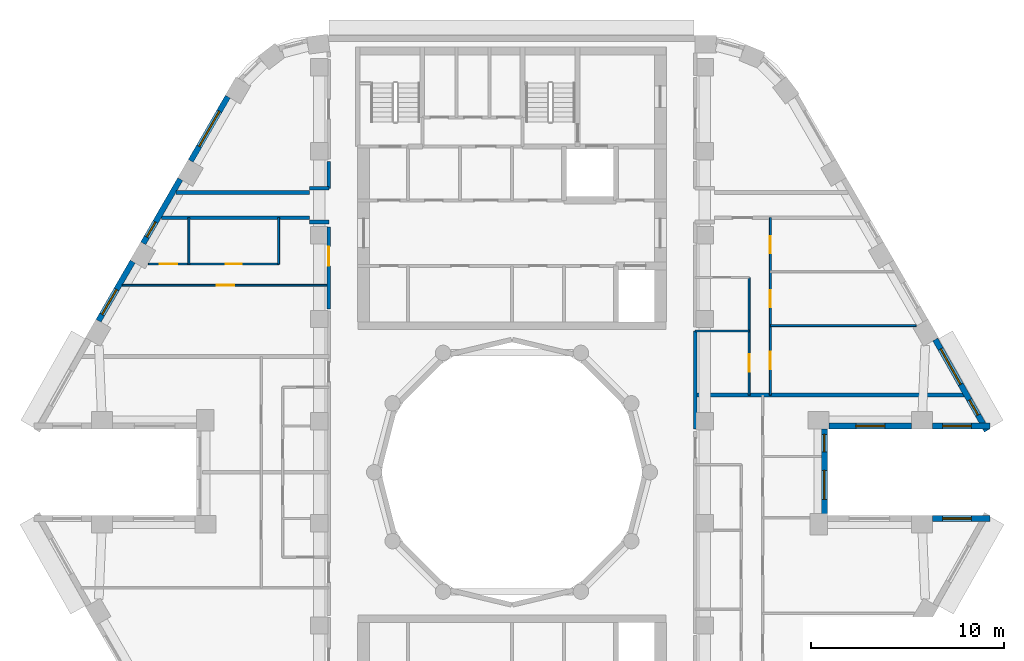
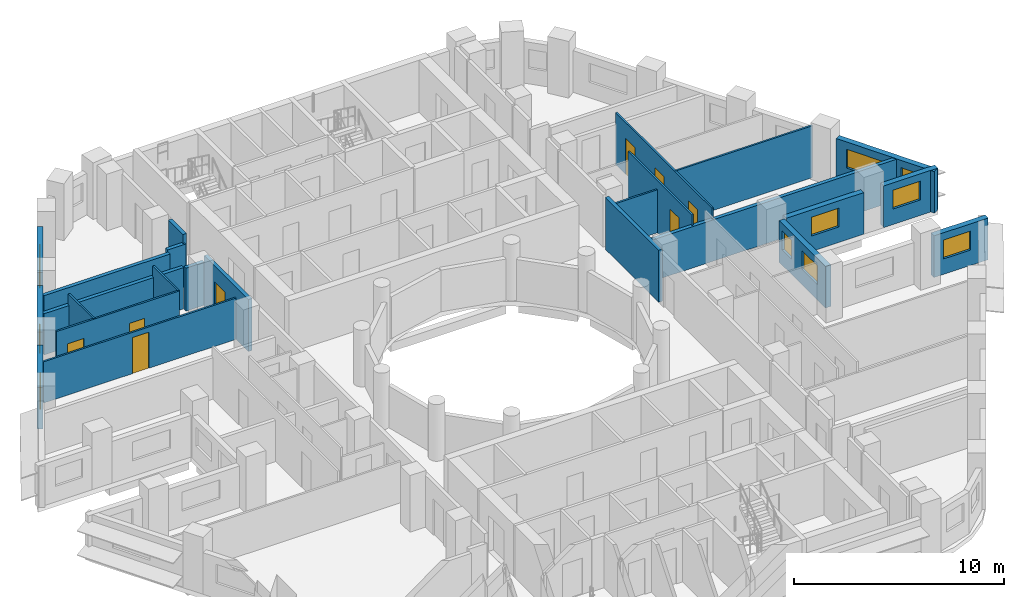
# One storey, part 6 of 12: 24 walls, 10 windows, 8 doors, 18 openings.
"""IFC4 building model written with IfcOpenShell, lengths in metres."""

from ifc_helpers import new_model, si_unit, direction, frame, frame_2d, origin, place, context, subcontext, project, spatial, rectangle, extrude, material, layer, layer_set, type_object, element, fill, save


model = new_model("IFC4")

# Units and contexts
model_context = context("Model", 3, precision=1e-05, world=origin(), true_north=direction((0.0, 1.0)))
body_context = subcontext(model_context, "Body", "Model", "MODEL_VIEW")
ifc_project = project(units=[si_unit("LENGTHUNIT", "METRE"), si_unit("AREAUNIT", "SQUARE_METRE"), si_unit("VOLUMEUNIT", "CUBIC_METRE"), si_unit("PLANEANGLEUNIT", "RADIAN"), si_unit("MASSUNIT", "GRAM", prefix="KILO")], contexts=[model_context])

# Site, building, storey
site_placement = place(None, origin())
site = spatial("IfcSite", under=ifc_project, at=site_placement, CompositionType="ELEMENT")
building_placement = place(site_placement, origin())
building = spatial("IfcBuilding", under=site, at=building_placement, Name="Nakaniwa Court", CompositionType="ELEMENT")
storey_placement = place(building_placement, frame((0.0, 0.0, 255.89990234375)))
storey = spatial("IfcBuildingStorey", under=building, at=storey_placement, Name="L67", CompositionType="ELEMENT", Elevation=255.89990234375)

# Walls
ifc_material_1 = material(Name="Acoustic double stud partition")
ifc_layer_1 = layer(ifc_material_1, 0.199951171875)
ifc_layer_set_1 = layer_set([ifc_layer_1], Name="Acoustic double stud partition")
wall_type_1 = type_object("IfcWallType", Name="Acoustic double stud partition 200", PredefinedType="PARTITIONING", material=ifc_layer_set_1)
wall_1_placement = place(storey_placement, frame((89.5, 82.237060546875, 0.0), z_axis=(0.0, 0.0, 1.0), x_axis=(0.0, 1.0, 0.0)))
element("IfcWall", 1, at=wall_1_placement, inside=storey, type_object=wall_type_1, Name="Partition PW-064", PredefinedType="PARTITIONING", context=body_context, shape_type="SweptSolid", body=[
    extrude(rectangle(XDim=5.09326171875, YDim=0.199951171875, at=frame_2d((2.546630859375, 0.0))), origin(), (0.0, 0.0, 1.0), 3.025146484375),
])
wall_2_placement = place(storey_placement, frame((61.8134765625, 93.199951171875, 0.0), z_axis=(0.0, 0.0, 1.0), x_axis=(1.0, 0.0, 0.0)))
element("IfcWall", 2, at=wall_2_placement, inside=storey, type_object=wall_type_1, Name="Partition PW-070", PredefinedType="PARTITIONING", context=body_context, shape_type="SweptSolid", body=[
    extrude(rectangle(XDim=7.6865234375, YDim=0.199951171875, at=frame_2d((3.84326171875, 0.0))), origin(), (0.0, 0.0, 1.0), 2.405029296875),
])
for number, where, z_axis, x_axis, name in (
    (3, (69.5, 92.97509765625, 0.0), (0.0, 0.0, 1.0), (1.0, 0.0, 0.0), "Partition PW-072"),
    (4, (69.5, 94.72509765625, 0.0), (0.0, 0.0, 1.0), (1.0, 0.0, 0.0), "Partition PW-074"),
):
    element("IfcWall", number, at=place(storey_placement, frame(where, z_axis=z_axis, x_axis=x_axis)), inside=storey, type_object=wall_type_1, Name=name, PredefinedType="PARTITIONING", context=body_context, shape_type="SweptSolid", body=[
        extrude(rectangle(XDim=1.0, YDim=0.199951171875, at=frame_2d((0.5, 0.0))), origin(), (0.0, 0.0, 1.0), 2.505126953125),
    ])
wall_3_placement = place(storey_placement, frame((62.56396484375, 94.5, 0.0), z_axis=(0.0, 0.0, 1.0), x_axis=(1.0, 0.0, 0.0)))
element("IfcWall", 5, at=wall_3_placement, inside=storey, type_object=wall_type_1, Name="Partition PW-076", PredefinedType="PARTITIONING", context=body_context, shape_type="SweptSolid", body=[
    extrude(rectangle(XDim=6.93603515625, YDim=0.199951171875, at=frame_2d((3.468017578125, 0.0))), origin(), (0.0, 0.0, 1.0), 2.405029296875),
])

# Wall, opening, door
wall_4_placement = place(storey_placement, frame((70.5, 88.47705078125, 0.0), z_axis=(0.0, 0.0, 1.0), x_axis=(0.0, 1.0, 0.0)))
wall_4 = element("IfcWall", 6, at=wall_4_placement, inside=storey, type_object=wall_type_1, Name="Partition PW-092", PredefinedType="PARTITIONING", context=body_context, shape_type="SweptSolid", body=[
    extrude(rectangle(XDim=4.23583984375, YDim=0.199951171875, at=frame_2d((2.117919921875, 0.0))), origin(), (0.0, 0.0, 1.0), 3.025146484375),
])
opening_1_placement = place(wall_4_placement, frame((2.22802734375, 0.0, 0.0)))
opening_1 = element("IfcOpeningElement", 7, at=opening_1_placement, cuts=wall_4, Name="Opening D-01-05", PredefinedType="OPENING", context=body_context, shape_type="SweptSolid", body=[
    extrude(rectangle(XDim=1.0, YDim=2.10009765625, at=frame_2d((0.5, 1.050048828125))), frame((0.0, 0.10986328125, 0.0), z_axis=(0.0, -1.0, 0.0), x_axis=(1.0, 0.0, 0.0)), (0.0, 0.0, 1.0), 0.219970703125),
])
ifc_material_2 = material(Name="Solid core timber door set, black veneer", Category="wood")
door_type_1 = type_object("IfcDoorType", Name="Flat entrance door 1000", OperationType="NOTDEFINED", PredefinedType="DOOR", material=ifc_material_2)
door_1_placement = place(opening_1_placement, origin())
door_1 = element("IfcDoor", 8, at=door_1_placement, inside=storey, type_object=door_type_1, Name="Door D-01-05 L67-055", OperationType="SINGLE_SWING_RIGHT", OverallHeight=2.10009765625, OverallWidth=1.0, PredefinedType="DOOR", context=body_context, shape_type="SweptSolid", body=[
    extrude(rectangle(XDim=1.0, YDim=2.10009765625, at=frame_2d((0.5, 1.050048828125))), frame((0.0, 0.02490234375, 0.0), z_axis=(0.0, -1.0, 0.0), x_axis=(1.0, 0.0, 0.0)), (0.0, 0.0, 1.0), 0.050048828125),
])
fill(opening_1, door_1)

# Walls
wall_5_placement = place(storey_placement, frame((70.5, 94.721923828125, 0.0), z_axis=(0.0, 0.0, 1.0), x_axis=(0.0, 1.0, 0.0)))
element("IfcWall", 9, at=wall_5_placement, inside=storey, type_object=wall_type_1, Name="Partition PW-093", PredefinedType="PARTITIONING", context=body_context, shape_type="SweptSolid", body=[
    extrude(rectangle(XDim=1.401123046875, YDim=0.199951171875, at=frame_2d((0.70068359375, 0.0))), origin(), (0.0, 0.0, 1.0), 3.025146484375),
])
wall_6_placement = place(storey_placement, frame((89.5, 84.0, 0.0), z_axis=(0.0, 0.0, 1.0), x_axis=(1.0, 0.0, 0.0)))
element("IfcWall", 10, at=wall_6_placement, inside=storey, type_object=wall_type_1, Name="Partition PW-102", PredefinedType="PARTITIONING", context=body_context, shape_type="SweptSolid", body=[
    extrude(rectangle(XDim=13.998291015625, YDim=0.199951171875, at=frame_2d((6.9990234375, 0.0))), origin(), (0.0, 0.0, 1.0), 2.405029296875),
])

# Wall, opening, window
ifc_material_3 = material(Name="Charcoal ceramic cladding")
ifc_layer_2 = layer(ifc_material_3, 0.02, Name="Ceramic cladding")
ifc_material_4 = material(Name="Ventilated air cavity")
ifc_layer_3 = layer(ifc_material_4, 0.04, ventilated=True, Name="Ventilated cavity")
ifc_material_5 = material(Name="Mineral wool insulation")
ifc_layer_4 = layer(ifc_material_5, 0.1, Name="Insulation")
ifc_material_6 = material(Name="Cement bonded sheathing board")
ifc_layer_5 = layer(ifc_material_6, 0.012, Name="Sheathing")
ifc_material_7 = material(Name="Cold-formed galvanised stud frame with mineral wool infill")
ifc_layer_6 = layer(ifc_material_7, 0.1, Name="Stud frame")
ifc_material_8 = material(Name="Fire-rated gypsum plasterboard lining")
ifc_layer_7 = layer(ifc_material_8, 0.028, Name="Lining")
ifc_layer_set_2 = layer_set([ifc_layer_2, ifc_layer_3, ifc_layer_4, ifc_layer_5, ifc_layer_6, ifc_layer_7], Name="Charcoal ceramic faced external wall system")
wall_type_2 = type_object("IfcWallType", Name="Black ceramic faced external wall 300", PredefinedType="SOLIDWALL", material=ifc_layer_set_2)
wall_7_placement = place(storey_placement, frame((96.445556640625, 82.39990234375, 0.0), z_axis=(0.0, 0.0, 1.0), x_axis=(1.0, 0.0, 0.0)))
wall_7 = element("IfcWall", 11, at=wall_7_placement, inside=storey, type_object=wall_type_2, Name="L67 external wall 00", PredefinedType="SOLIDWALL", context=body_context, shape_type="SweptSolid", body=[
    extrude(rectangle(XDim=4.2724609375, YDim=0.300048828125, at=frame_2d((2.13623046875, 0.0))), origin(), (0.0, 0.0, 1.0), 2.425048828125),
])
opening_2_placement = place(wall_7_placement, frame((1.38623046875, 0.0, 0.89990234375)))
opening_2 = element("IfcOpeningElement", 12, at=opening_2_placement, cuts=wall_7, Name="Opening W5.01", PredefinedType="OPENING", context=body_context, shape_type="SweptSolid", body=[
    extrude(rectangle(XDim=1.5, YDim=1.10009765625, at=frame_2d((0.75, 0.550048828125))), frame((0.0, 0.159912109375, 0.0), z_axis=(0.0, -1.0, 0.0), x_axis=(1.0, 0.0, 0.0)), (0.0, 0.0, 1.0), 0.320068359375),
])
ifc_material_9 = material(Name="Black anodised aluminium frame with dark low-E laminated double glazing", Category="aluminium")
window_type_1 = type_object("IfcWindowType", Name="Dark glass window 1500x1100 sill 900", PartitioningType="SINGLE_PANEL", PredefinedType="WINDOW", material=ifc_material_9)
window_1_placement = place(opening_2_placement, origin())
window_1 = element("IfcWindow", 13, at=window_1_placement, inside=storey, type_object=window_type_1, Name="L67 bedroom window 00-0", OverallHeight=1.10009765625, OverallWidth=1.5, PartitioningType="SINGLE_PANEL", PredefinedType="WINDOW", context=body_context, shape_type="SweptSolid", body=[
    extrude(rectangle(XDim=1.5, YDim=1.10009765625, at=frame_2d((0.75, 0.550048828125))), frame((0.0, 0.030029296875, 0.0), z_axis=(0.0, -1.0, 0.0), x_axis=(1.0, 0.0, 0.0)), (0.0, 0.0, 1.0), 0.06005859375),
])
fill(opening_2, window_1)

wall_8_placement = place(storey_placement, frame((101.81005859375, 82.39990234375, 0.0), z_axis=(0.0, 0.0, 1.0), x_axis=(1.0, 0.0, 0.0)))
wall_8 = element("IfcWall", 14, at=wall_8_placement, inside=storey, type_object=wall_type_2, Name="L67 external wall 01", PredefinedType="SOLIDWALL", context=body_context, shape_type="SweptSolid", body=[
    extrude(rectangle(XDim=2.98779296875, YDim=0.300048828125, at=frame_2d((1.493896484375, 0.0))), origin(), (0.0, 0.0, 1.0), 2.425048828125),
])
opening_3_placement = place(wall_8_placement, frame((0.51904296875, 0.0, 0.89990234375)))
opening_3 = element("IfcOpeningElement", 15, at=opening_3_placement, cuts=wall_8, Name="Opening W5.02", PredefinedType="OPENING", context=body_context, shape_type="SweptSolid", body=[
    extrude(rectangle(XDim=1.5, YDim=1.10009765625, at=frame_2d((0.75, 0.550048828125))), frame((0.0, 0.159912109375, 0.0), z_axis=(0.0, -1.0, 0.0), x_axis=(1.0, 0.0, 0.0)), (0.0, 0.0, 1.0), 0.320068359375),
])
window_2_placement = place(opening_3_placement, origin())
window_2 = element("IfcWindow", 16, at=window_2_placement, inside=storey, type_object=window_type_1, Name="L67 bedroom window 01-0", OverallHeight=1.10009765625, OverallWidth=1.5, PartitioningType="SINGLE_PANEL", PredefinedType="WINDOW", context=body_context, shape_type="SweptSolid", body=[
    extrude(rectangle(XDim=1.5, YDim=1.10009765625, at=frame_2d((0.75, 0.550048828125))), frame((0.0, 0.030029296875, 0.0), z_axis=(0.0, -1.0, 0.0), x_axis=(1.0, 0.0, 0.0)), (0.0, 0.0, 1.0), 0.06005859375),
])
fill(opening_3, window_2)

# Wall, openings, windows
wall_9_placement = place(storey_placement, frame((104.627197265625, 82.153564453125, 0.0), z_axis=(0.0, 0.0, 1.0), x_axis=(-0.492080931903, 0.870549456641, 0.0)))
wall_9 = element("IfcWall", 17, at=wall_9_placement, inside=storey, type_object=wall_type_2, Name="L67 external wall 02", PredefinedType="SOLIDWALL", context=body_context, shape_type="SweptSolid", body=[
    extrude(rectangle(XDim=5.436767578125, YDim=0.300048828125, at=frame_2d((2.71826171875, 0.0))), origin(), (0.0, 0.0, 1.0), 2.425048828125),
])
opening_4_placement = place(wall_9_placement, frame((0.934326171875, 0.0, 0.89990234375)))
opening_4 = element("IfcOpeningElement", 18, at=opening_4_placement, cuts=wall_9, Name="Opening W9.03", PredefinedType="OPENING", context=body_context, shape_type="SweptSolid", body=[
    extrude(rectangle(XDim=0.89990234375, YDim=1.10009765625, at=frame_2d((0.449951171875, 0.550048828125))), frame((0.0, 0.159912109375, 0.0), z_axis=(0.0, -1.0, 0.0), x_axis=(1.0, 0.0, 0.0)), (0.0, 0.0, 1.0), 0.320068359375),
])
opening_5_placement = place(wall_9_placement, frame((2.76416015625, 0.0, 0.89990234375)))
opening_5 = element("IfcOpeningElement", 19, at=opening_5_placement, cuts=wall_9, Name="Opening W7.04", PredefinedType="OPENING", context=body_context, shape_type="SweptSolid", body=[
    extrude(rectangle(XDim=2.10009765625, YDim=1.10009765625, at=frame_2d((1.050048828125, 0.550048828125))), frame((0.0, 0.159912109375, 0.0), z_axis=(0.0, -1.0, 0.0), x_axis=(1.0, 0.0, 0.0)), (0.0, 0.0, 1.0), 0.320068359375),
])
window_type_2 = type_object("IfcWindowType", Name="Dark glass window 2100x1100 sill 900", PartitioningType="SINGLE_PANEL", PredefinedType="WINDOW", material=ifc_material_9)
window_3_placement = place(opening_5_placement, origin())
window_3 = element("IfcWindow", 20, at=window_3_placement, inside=storey, type_object=window_type_2, Name="L67 living window 02-1", OverallHeight=1.10009765625, OverallWidth=2.10009765625, PartitioningType="SINGLE_PANEL", PredefinedType="WINDOW", context=body_context, shape_type="SweptSolid", body=[
    extrude(rectangle(XDim=2.10009765625, YDim=1.10009765625, at=frame_2d((1.050048828125, 0.550048828125))), frame((0.0, 0.030029296875, 0.0), z_axis=(0.0, -1.0, 0.0), x_axis=(1.0, 0.0, 0.0)), (0.0, 0.0, 1.0), 0.06005859375),
])
fill(opening_5, window_3)
window_type_3 = type_object("IfcWindowType", Name="Dark glass window 900x1100 sill 900", PartitioningType="SINGLE_PANEL", PredefinedType="WINDOW", material=ifc_material_9)
window_4_placement = place(opening_4_placement, origin())
window_4 = element("IfcWindow", 21, at=window_4_placement, inside=storey, type_object=window_type_3, Name="L67 bedroom window 02-0", OverallHeight=1.10009765625, OverallWidth=0.89990234375, PartitioningType="SINGLE_PANEL", PredefinedType="WINDOW", context=body_context, shape_type="SweptSolid", body=[
    extrude(rectangle(XDim=0.89990234375, YDim=1.10009765625, at=frame_2d((0.449951171875, 0.550048828125))), frame((0.0, 0.030029296875, 0.0), z_axis=(0.0, -1.0, 0.0), x_axis=(1.0, 0.0, 0.0)), (0.0, 0.0, 1.0), 0.06005859375),
])
fill(opening_4, window_4)

# Wall, opening, window
wall_10_placement = place(storey_placement, frame((65.26416015625, 99.476806640625, 0.0), z_axis=(0.0, 0.0, 1.0), x_axis=(-0.499984490703, -0.866034357896, 0.0)))
wall_10 = element("IfcWall", 22, at=wall_10_placement, inside=storey, type_object=wall_type_2, Name="L67 external wall 11", PredefinedType="SOLIDWALL", context=body_context, shape_type="SweptSolid", body=[
    extrude(rectangle(XDim=3.84423828125, YDim=0.300048828125, at=frame_2d((1.922119140625, 0.0))), origin(), (0.0, 0.0, 1.0), 2.425048828125),
])
opening_6_placement = place(wall_10_placement, frame((0.8720703125, 0.0, 0.89990234375)))
opening_6 = element("IfcOpeningElement", 23, at=opening_6_placement, cuts=wall_10, Name="Opening W7.12", PredefinedType="OPENING", context=body_context, shape_type="SweptSolid", body=[
    extrude(rectangle(XDim=2.10009765625, YDim=1.10009765625, at=frame_2d((1.050048828125, 0.550048828125))), frame((0.0, 0.159912109375, 0.0), z_axis=(0.0, -1.0, 0.0), x_axis=(1.0, 0.0, 0.0)), (0.0, 0.0, 1.0), 0.320068359375),
])
window_5_placement = place(opening_6_placement, origin())
window_5 = element("IfcWindow", 24, at=window_5_placement, inside=storey, type_object=window_type_2, Name="L67 habitable room window 11-0", OverallHeight=1.10009765625, OverallWidth=2.10009765625, PartitioningType="SINGLE_PANEL", PredefinedType="WINDOW", context=body_context, shape_type="SweptSolid", body=[
    extrude(rectangle(XDim=2.10009765625, YDim=1.10009765625, at=frame_2d((1.050048828125, 0.550048828125))), frame((0.0, 0.030029296875, 0.0), z_axis=(0.0, -1.0, 0.0), x_axis=(1.0, 0.0, 0.0)), (0.0, 0.0, 1.0), 0.06005859375),
])
fill(opening_6, window_5)

wall_11_placement = place(storey_placement, frame((62.7958984375, 95.201904296875, 0.0), z_axis=(0.0, 0.0, 1.0), x_axis=(-0.499984490703, -0.866034357896, 0.0)))
wall_11 = element("IfcWall", 25, at=wall_11_placement, inside=storey, type_object=wall_type_2, Name="L67 external wall 12", PredefinedType="SOLIDWALL", context=body_context, shape_type="SweptSolid", body=[
    extrude(rectangle(XDim=3.84423828125, YDim=0.300048828125, at=frame_2d((1.922119140625, 0.0))), origin(), (0.0, 0.0, 1.0), 2.425048828125),
])
opening_7_placement = place(wall_11_placement, frame((2.56689453125, 0.0, 0.89990234375)))
opening_7 = element("IfcOpeningElement", 26, at=opening_7_placement, cuts=wall_11, Name="Opening W9.13", PredefinedType="OPENING", context=body_context, shape_type="SweptSolid", body=[
    extrude(rectangle(XDim=0.89990234375, YDim=1.10009765625, at=frame_2d((0.449951171875, 0.550048828125))), frame((0.0, 0.159912109375, 0.0), z_axis=(0.0, -1.0, 0.0), x_axis=(1.0, 0.0, 0.0)), (0.0, 0.0, 1.0), 0.320068359375),
])
window_6_placement = place(opening_7_placement, origin())
window_6 = element("IfcWindow", 27, at=window_6_placement, inside=storey, type_object=window_type_3, Name="L67 habitable room window 12-2", OverallHeight=1.10009765625, OverallWidth=0.89990234375, PartitioningType="SINGLE_PANEL", PredefinedType="WINDOW", context=body_context, shape_type="SweptSolid", body=[
    extrude(rectangle(XDim=0.89990234375, YDim=1.10009765625, at=frame_2d((0.449951171875, 0.550048828125))), frame((0.0, 0.030029296875, 0.0), z_axis=(0.0, -1.0, 0.0), x_axis=(1.0, 0.0, 0.0)), (0.0, 0.0, 1.0), 0.06005859375),
])
fill(opening_7, window_6)

wall_12_placement = place(storey_placement, frame((60.327880859375, 90.927001953125, 0.0), z_axis=(0.0, 0.0, 1.0), x_axis=(-0.500010404316, -0.866019396766, 0.0)))
wall_12 = element("IfcWall", 28, at=wall_12_placement, inside=storey, type_object=wall_type_2, Name="L67 external wall 13", PredefinedType="SOLIDWALL", context=body_context, shape_type="SweptSolid", body=[
    extrude(rectangle(XDim=3.54736328125, YDim=0.300048828125, at=frame_2d((1.773681640625, 0.0))), origin(), (0.0, 0.0, 1.0), 2.425048828125),
])
opening_8_placement = place(wall_12_placement, frame((1.6708984375, 0.0, 0.89990234375)))
opening_8 = element("IfcOpeningElement", 29, at=opening_8_placement, cuts=wall_12, Name="Opening W5.14", PredefinedType="OPENING", context=body_context, shape_type="SweptSolid", body=[
    extrude(rectangle(XDim=1.5, YDim=1.10009765625, at=frame_2d((0.75, 0.550048828125))), frame((0.0, 0.159912109375, 0.0), z_axis=(0.0, -1.0, 0.0), x_axis=(1.0, 0.0, 0.0)), (0.0, 0.0, 1.0), 0.320068359375),
])
window_7_placement = place(opening_8_placement, origin())
window_7 = element("IfcWindow", 30, at=window_7_placement, inside=storey, type_object=window_type_1, Name="L67 living window 13-1", OverallHeight=1.10009765625, OverallWidth=1.5, PartitioningType="SINGLE_PANEL", PredefinedType="WINDOW", context=body_context, shape_type="SweptSolid", body=[
    extrude(rectangle(XDim=1.5, YDim=1.10009765625, at=frame_2d((0.75, 0.550048828125))), frame((0.0, 0.030029296875, 0.0), z_axis=(0.0, -1.0, 0.0), x_axis=(1.0, 0.0, 0.0)), (0.0, 0.0, 1.0), 0.06005859375),
])
fill(opening_8, window_7)

wall_13_placement = place(storey_placement, frame((104.7978515625, 77.60009765625, 0.0), z_axis=(0.0, 0.0, 1.0), x_axis=(-1.0, 0.0, 0.0)))
wall_13 = element("IfcWall", 31, at=wall_13_placement, inside=storey, type_object=wall_type_2, Name="L67 external wall 33", PredefinedType="SOLIDWALL", context=body_context, shape_type="SweptSolid", body=[
    extrude(rectangle(XDim=2.98779296875, YDim=0.300048828125, at=frame_2d((1.493896484375, 0.0))), origin(), (0.0, 0.0, 1.0), 2.425048828125),
])
opening_9_placement = place(wall_13_placement, frame((0.968994140625, 0.0, 0.89990234375)))
opening_9 = element("IfcOpeningElement", 32, at=opening_9_placement, cuts=wall_13, Name="Opening W5.34", PredefinedType="OPENING", context=body_context, shape_type="SweptSolid", body=[
    extrude(rectangle(XDim=1.5, YDim=1.10009765625, at=frame_2d((0.75, 0.550048828125))), frame((0.0, 0.159912109375, 0.0), z_axis=(0.0, -1.0, 0.0), x_axis=(1.0, 0.0, 0.0)), (0.0, 0.0, 1.0), 0.320068359375),
])
window_8_placement = place(opening_9_placement, origin())
window_8 = element("IfcWindow", 33, at=window_8_placement, inside=storey, type_object=window_type_1, Name="L67 living window 33-0", OverallHeight=1.10009765625, OverallWidth=1.5, PartitioningType="SINGLE_PANEL", PredefinedType="WINDOW", context=body_context, shape_type="SweptSolid", body=[
    extrude(rectangle(XDim=1.5, YDim=1.10009765625, at=frame_2d((0.75, 0.550048828125))), frame((0.0, 0.030029296875, 0.0), z_axis=(0.0, -1.0, 0.0), x_axis=(1.0, 0.0, 0.0)), (0.0, 0.0, 1.0), 0.06005859375),
])
fill(opening_9, window_8)

# Wall, openings, windows
wall_14_placement = place(storey_placement, frame((96.199462890625, 77.845947265625, 0.0), z_axis=(0.0, 0.0, 1.0), x_axis=(0.0, 1.0, 0.0)))
wall_14 = element("IfcWall", 34, at=wall_14_placement, inside=storey, type_object=wall_type_2, Name="L67 external wall 35", PredefinedType="SOLIDWALL", context=body_context, shape_type="SweptSolid", body=[
    extrude(rectangle(XDim=4.407958984375, YDim=0.300048828125, at=frame_2d((2.2041015625, 0.0))), origin(), (0.0, 0.0, 1.0), 2.425048828125),
])
opening_10_placement = place(wall_14_placement, frame((0.74755859375, 0.0, 0.89990234375)))
opening_10 = element("IfcOpeningElement", 35, at=opening_10_placement, cuts=wall_14, Name="Opening W5.36", PredefinedType="OPENING", context=body_context, shape_type="SweptSolid", body=[
    extrude(rectangle(XDim=1.5, YDim=1.10009765625, at=frame_2d((0.75, 0.550048828125))), frame((0.0, 0.159912109375, 0.0), z_axis=(0.0, -1.0, 0.0), x_axis=(1.0, 0.0, 0.0)), (0.0, 0.0, 1.0), 0.320068359375),
])
opening_11_placement = place(wall_14_placement, frame((3.214599609375, 0.0, 0.89990234375)))
opening_11 = element("IfcOpeningElement", 36, at=opening_11_placement, cuts=wall_14, Name="Opening W9.37", PredefinedType="OPENING", context=body_context, shape_type="SweptSolid", body=[
    extrude(rectangle(XDim=0.89990234375, YDim=1.10009765625, at=frame_2d((0.449951171875, 0.550048828125))), frame((0.0, 0.159912109375, 0.0), z_axis=(0.0, -1.0, 0.0), x_axis=(1.0, 0.0, 0.0)), (0.0, 0.0, 1.0), 0.320068359375),
])
window_9_placement = place(opening_10_placement, origin())
window_9 = element("IfcWindow", 37, at=window_9_placement, inside=storey, type_object=window_type_1, Name="L67 bedroom window 35-0", OverallHeight=1.10009765625, OverallWidth=1.5, PartitioningType="SINGLE_PANEL", PredefinedType="WINDOW", context=body_context, shape_type="SweptSolid", body=[
    extrude(rectangle(XDim=1.5, YDim=1.10009765625, at=frame_2d((0.75, 0.550048828125))), frame((0.0, 0.030029296875, 0.0), z_axis=(0.0, -1.0, 0.0), x_axis=(1.0, 0.0, 0.0)), (0.0, 0.0, 1.0), 0.06005859375),
])
fill(opening_10, window_9)
window_10_placement = place(opening_11_placement, origin())
window_10 = element("IfcWindow", 38, at=window_10_placement, inside=storey, type_object=window_type_3, Name="L67 bedroom window 35-1", OverallHeight=1.10009765625, OverallWidth=0.89990234375, PartitioningType="SINGLE_PANEL", PredefinedType="WINDOW", context=body_context, shape_type="SweptSolid", body=[
    extrude(rectangle(XDim=0.89990234375, YDim=1.10009765625, at=frame_2d((0.449951171875, 0.550048828125))), frame((0.0, 0.030029296875, 0.0), z_axis=(0.0, -1.0, 0.0), x_axis=(1.0, 0.0, 0.0)), (0.0, 0.0, 1.0), 0.06005859375),
])
fill(opening_11, window_10)

# Wall
ifc_material_10 = material(Name="Single stud plasterboard partition")
ifc_layer_8 = layer(ifc_material_10, 0.10009765625)
ifc_layer_set_3 = layer_set([ifc_layer_8], Name="Single stud plasterboard partition")
wall_type_3 = type_object("IfcWallType", Name="Single stud plasterboard partition 100", PredefinedType="PARTITIONING", material=ifc_layer_set_3)
wall_15_placement = place(storey_placement, frame((89.5, 87.326904296875, 0.0), z_axis=(0.0, 0.0, 1.0), x_axis=(1.0, 0.0, 0.0)))
element("IfcWall", 39, at=wall_15_placement, inside=storey, type_object=wall_type_3, Name="Partition PW-106", PredefinedType="PARTITIONING", context=body_context, shape_type="SweptSolid", body=[
    extrude(rectangle(XDim=2.800048828125, YDim=0.10009765625, at=frame_2d((1.39990234375, 0.0))), origin(), (0.0, 0.0, 1.0), 2.505126953125),
])

# Wall, opening, door
wall_16_placement = place(storey_placement, frame((92.300048828125, 84.0, 0.0), z_axis=(0.0, 0.0, 1.0), x_axis=(0.0, 1.0, 0.0)))
wall_16 = element("IfcWall", 40, at=wall_16_placement, inside=storey, type_object=wall_type_3, Name="Partition PW-107", PredefinedType="PARTITIONING", context=body_context, shape_type="SweptSolid", body=[
    extrude(rectangle(XDim=6.10009765625, YDim=0.10009765625, at=frame_2d((3.050048828125, 0.0))), origin(), (0.0, 0.0, 1.0), 3.025146484375),
])
opening_12_placement = place(wall_16_placement, frame((1.214111328125, 0.0, 0.0)))
opening_12 = element("IfcOpeningElement", 41, at=opening_12_placement, cuts=wall_16, Name="Opening D-33-06", PredefinedType="OPENING", context=body_context, shape_type="SweptSolid", body=[
    extrude(rectangle(XDim=0.89990234375, YDim=2.10009765625, at=frame_2d((0.449951171875, 1.050048828125))), frame((0.0, 0.06005859375, 0.0), z_axis=(0.0, -1.0, 0.0), x_axis=(1.0, 0.0, 0.0)), (0.0, 0.0, 1.0), 0.1201171875),
])
door_type_2 = type_object("IfcDoorType", Name="Internal door 900", OperationType="NOTDEFINED", PredefinedType="DOOR", material=ifc_material_2)
door_2_placement = place(opening_12_placement, origin())
door_2 = element("IfcDoor", 42, at=door_2_placement, inside=storey, type_object=door_type_2, Name="Door D-33-06 L67-041", OperationType="SINGLE_SWING_RIGHT", OverallHeight=2.10009765625, OverallWidth=0.89990234375, PredefinedType="DOOR", context=body_context, shape_type="SweptSolid", body=[
    extrude(rectangle(XDim=0.89990234375, YDim=2.10009765625, at=frame_2d((0.449951171875, 1.050048828125))), frame((0.0, 0.02490234375, 0.0), z_axis=(0.0, -1.0, 0.0), x_axis=(1.0, 0.0, 0.0)), (0.0, 0.0, 1.0), 0.050048828125),
])
fill(opening_12, door_2)

# Wall, openings, doors
wall_17_placement = place(storey_placement, frame((93.39990234375, 93.199951171875, 0.0), z_axis=(0.0, 0.0, 1.0), x_axis=(0.0, -1.0, 0.0)))
wall_17 = element("IfcWall", 43, at=wall_17_placement, inside=storey, type_object=wall_type_3, Name="Partition PW-109", PredefinedType="PARTITIONING", context=body_context, shape_type="SweptSolid", body=[
    extrude(rectangle(XDim=9.199951171875, YDim=0.10009765625, at=frame_2d((4.60009765625, 0.0))), origin(), (0.0, 0.0, 1.0), 3.025146484375),
])
opening_13_placement = place(wall_17_placement, frame((6.949951171875, 0.0, 0.0)))
opening_13 = element("IfcOpeningElement", 44, at=opening_13_placement, cuts=wall_17, Name="Opening D-33-07", PredefinedType="OPENING", context=body_context, shape_type="SweptSolid", body=[
    extrude(rectangle(XDim=0.89990234375, YDim=2.10009765625, at=frame_2d((0.449951171875, 1.050048828125))), frame((0.0, 0.06005859375, 0.0), z_axis=(0.0, -1.0, 0.0), x_axis=(1.0, 0.0, 0.0)), (0.0, 0.0, 1.0), 0.1201171875),
])
opening_14_placement = place(wall_17_placement, frame((3.75, 0.0, 0.0)))
opening_14 = element("IfcOpeningElement", 45, at=opening_14_placement, cuts=wall_17, Name="Opening D-33-08", PredefinedType="OPENING", context=body_context, shape_type="SweptSolid", body=[
    extrude(rectangle(XDim=0.89990234375, YDim=2.10009765625, at=frame_2d((0.449951171875, 1.050048828125))), frame((0.0, 0.06005859375, 0.0), z_axis=(0.0, -1.0, 0.0), x_axis=(1.0, 0.0, 0.0)), (0.0, 0.0, 1.0), 0.1201171875),
])
opening_15_placement = place(wall_17_placement, frame((0.949951171875, 0.0, 0.0)))
opening_15 = element("IfcOpeningElement", 46, at=opening_15_placement, cuts=wall_17, Name="Opening D-33-09", PredefinedType="OPENING", context=body_context, shape_type="SweptSolid", body=[
    extrude(rectangle(XDim=0.89990234375, YDim=2.10009765625, at=frame_2d((0.449951171875, 1.050048828125))), frame((0.0, 0.06005859375, 0.0), z_axis=(0.0, -1.0, 0.0), x_axis=(1.0, 0.0, 0.0)), (0.0, 0.0, 1.0), 0.1201171875),
])
door_3_placement = place(opening_13_placement, origin())
door_3 = element("IfcDoor", 47, at=door_3_placement, inside=storey, type_object=door_type_2, Name="Door D-33-07 L67-043", OperationType="SINGLE_SWING_RIGHT", OverallHeight=2.10009765625, OverallWidth=0.89990234375, PredefinedType="DOOR", context=body_context, shape_type="SweptSolid", body=[
    extrude(rectangle(XDim=0.89990234375, YDim=2.10009765625, at=frame_2d((0.449951171875, 1.050048828125))), frame((0.0, 0.02490234375, 0.0), z_axis=(0.0, -1.0, 0.0), x_axis=(1.0, 0.0, 0.0)), (0.0, 0.0, 1.0), 0.050048828125),
])
fill(opening_13, door_3)
door_4_placement = place(opening_14_placement, origin())
door_4 = element("IfcDoor", 48, at=door_4_placement, inside=storey, type_object=door_type_2, Name="Door D-33-08 L67-044", OperationType="SINGLE_SWING_LEFT", OverallHeight=2.10009765625, OverallWidth=0.89990234375, PredefinedType="DOOR", context=body_context, shape_type="SweptSolid", body=[
    extrude(rectangle(XDim=0.89990234375, YDim=2.10009765625, at=frame_2d((0.449951171875, 1.050048828125))), frame((0.0, 0.02490234375, 0.0), z_axis=(0.0, -1.0, 0.0), x_axis=(1.0, 0.0, 0.0)), (0.0, 0.0, 1.0), 0.050048828125),
])
fill(opening_14, door_4)
door_5_placement = place(opening_15_placement, origin())
door_5 = element("IfcDoor", 49, at=door_5_placement, inside=storey, type_object=door_type_2, Name="Door D-33-09 L67-045", OperationType="SINGLE_SWING_RIGHT", OverallHeight=2.10009765625, OverallWidth=0.89990234375, PredefinedType="DOOR", context=body_context, shape_type="SweptSolid", body=[
    extrude(rectangle(XDim=0.89990234375, YDim=2.10009765625, at=frame_2d((0.449951171875, 1.050048828125))), frame((0.0, 0.02490234375, 0.0), z_axis=(0.0, -1.0, 0.0), x_axis=(1.0, 0.0, 0.0)), (0.0, 0.0, 1.0), 0.050048828125),
])
fill(opening_15, door_5)

# Walls
wall_18_placement = place(storey_placement, frame((93.39990234375, 87.60009765625, 0.0), z_axis=(0.0, 0.0, 1.0), x_axis=(1.0, 0.0, 0.0)))
element("IfcWall", 50, at=wall_18_placement, inside=storey, type_object=wall_type_3, Name="Partition PW-110", PredefinedType="PARTITIONING", context=body_context, shape_type="SweptSolid", body=[
    extrude(rectangle(XDim=7.555908203125, YDim=0.10009765625, at=frame_2d((3.77783203125, 0.0))), origin(), (0.0, 0.0, 1.0), 3.025146484375),
])
wall_19_placement = place(storey_placement, frame((63.243896484375, 90.800048828125, 0.0), z_axis=(0.0, 0.0, 1.0), x_axis=(0.0, 1.0, 0.0)))
element("IfcWall", 51, at=wall_19_placement, inside=storey, type_object=wall_type_3, Name="Partition PW-121", PredefinedType="PARTITIONING", context=body_context, shape_type="SweptSolid", body=[
    extrude(rectangle(XDim=2.39990234375, YDim=0.10009765625, at=frame_2d((1.199951171875, 0.0))), origin(), (0.0, 0.0, 1.0), 3.025146484375),
])

# Wall, openings, doors
wall_20_placement = place(storey_placement, frame((61.143798828125, 90.800048828125, 0.0), z_axis=(0.0, 0.0, 1.0), x_axis=(1.0, 0.0, 0.0)))
wall_20 = element("IfcWall", 52, at=wall_20_placement, inside=storey, type_object=wall_type_3, Name="Partition PW-122", PredefinedType="PARTITIONING", context=body_context, shape_type="SweptSolid", body=[
    extrude(rectangle(XDim=6.756103515625, YDim=0.10009765625, at=frame_2d((3.3779296875, 0.0))), origin(), (0.0, 0.0, 1.0), 3.025146484375),
])
opening_16_placement = place(wall_20_placement, frame((0.60009765625, 0.0, 0.0)))
opening_16 = element("IfcOpeningElement", 53, at=opening_16_placement, cuts=wall_20, Name="Opening D-33-14", PredefinedType="OPENING", context=body_context, shape_type="SweptSolid", body=[
    extrude(rectangle(XDim=0.89990234375, YDim=2.10009765625, at=frame_2d((0.449951171875, 1.050048828125))), frame((0.0, 0.06005859375, 0.0), z_axis=(0.0, -1.0, 0.0), x_axis=(1.0, 0.0, 0.0)), (0.0, 0.0, 1.0), 0.1201171875),
])
opening_17_placement = place(wall_20_placement, frame((4.0029296875, 0.0, 0.0)))
opening_17 = element("IfcOpeningElement", 54, at=opening_17_placement, cuts=wall_20, Name="Opening D-03-06", PredefinedType="OPENING", context=body_context, shape_type="SweptSolid", body=[
    extrude(rectangle(XDim=0.85009765625, YDim=2.10009765625, at=frame_2d((0.425048828125, 1.050048828125))), frame((0.0, 0.06005859375, 0.0), z_axis=(0.0, -1.0, 0.0), x_axis=(1.0, 0.0, 0.0)), (0.0, 0.0, 1.0), 0.1201171875),
])
ifc_material_11 = material(Name="Moisture sealed timber door set", Category="wood")
door_type_3 = type_object("IfcDoorType", Name="Bathroom door 850", OperationType="NOTDEFINED", PredefinedType="DOOR", material=ifc_material_11)
door_6_placement = place(opening_17_placement, origin())
door_6 = element("IfcDoor", 55, at=door_6_placement, inside=storey, type_object=door_type_3, Name="Door D-03-06 L67-057", OperationType="SINGLE_SWING_RIGHT", OverallHeight=2.10009765625, OverallWidth=0.85009765625, PredefinedType="DOOR", context=body_context, shape_type="SweptSolid", body=[
    extrude(rectangle(XDim=0.85009765625, YDim=2.10009765625, at=frame_2d((0.425048828125, 1.050048828125))), frame((0.0, 0.02490234375, 0.0), z_axis=(0.0, -1.0, 0.0), x_axis=(1.0, 0.0, 0.0)), (0.0, 0.0, 1.0), 0.050048828125),
])
fill(opening_17, door_6)
door_7_placement = place(opening_16_placement, origin())
door_7 = element("IfcDoor", 56, at=door_7_placement, inside=storey, type_object=door_type_2, Name="Door D-33-14 L67-056", OperationType="SINGLE_SWING_LEFT", OverallHeight=2.10009765625, OverallWidth=0.89990234375, PredefinedType="DOOR", context=body_context, shape_type="SweptSolid", body=[
    extrude(rectangle(XDim=0.89990234375, YDim=2.10009765625, at=frame_2d((0.449951171875, 1.050048828125))), frame((0.0, 0.02490234375, 0.0), z_axis=(0.0, -1.0, 0.0), x_axis=(1.0, 0.0, 0.0)), (0.0, 0.0, 1.0), 0.050048828125),
])
fill(opening_16, door_7)

# Wall
wall_21_placement = place(storey_placement, frame((67.89990234375, 90.800048828125, 0.0), z_axis=(0.0, 0.0, 1.0), x_axis=(0.0, 1.0, 0.0)))
element("IfcWall", 57, at=wall_21_placement, inside=storey, type_object=wall_type_3, Name="Partition PW-123", PredefinedType="PARTITIONING", context=body_context, shape_type="SweptSolid", body=[
    extrude(rectangle(XDim=2.39990234375, YDim=0.10009765625, at=frame_2d((1.199951171875, 0.0))), origin(), (0.0, 0.0, 1.0), 3.025146484375),
])

# Wall, opening, door
wall_22_placement = place(storey_placement, frame((70.5, 89.699951171875, 0.0), z_axis=(0.0, 0.0, 1.0), x_axis=(-1.0, 0.0, 0.0)))
wall_22 = element("IfcWall", 58, at=wall_22_placement, inside=storey, type_object=wall_type_3, Name="Partition PW-124", PredefinedType="PARTITIONING", context=body_context, shape_type="SweptSolid", body=[
    extrude(rectangle(XDim=10.707275390625, YDim=0.10009765625, at=frame_2d((5.353515625, 0.0))), origin(), (0.0, 0.0, 1.0), 2.405029296875),
])
opening_18_placement = place(wall_22_placement, frame((4.903076171875, 0.0, 0.0)))
opening_18 = element("IfcOpeningElement", 59, at=opening_18_placement, cuts=wall_22, Name="Opening D-33-15", PredefinedType="OPENING", context=body_context, shape_type="SweptSolid", body=[
    extrude(rectangle(XDim=0.89990234375, YDim=2.10009765625, at=frame_2d((0.449951171875, 1.050048828125))), frame((0.0, 0.06005859375, 0.0), z_axis=(0.0, -1.0, 0.0), x_axis=(1.0, 0.0, 0.0)), (0.0, 0.0, 1.0), 0.1201171875),
])
door_8_placement = place(opening_18_placement, origin())
door_8 = element("IfcDoor", 60, at=door_8_placement, inside=storey, type_object=door_type_2, Name="Door D-33-15 L67-058", OperationType="SINGLE_SWING_LEFT", OverallHeight=2.10009765625, OverallWidth=0.89990234375, PredefinedType="DOOR", context=body_context, shape_type="SweptSolid", body=[
    extrude(rectangle(XDim=0.89990234375, YDim=2.10009765625, at=frame_2d((0.449951171875, 1.050048828125))), frame((0.0, 0.02490234375, 0.0), z_axis=(0.0, -1.0, 0.0), x_axis=(1.0, 0.0, 0.0)), (0.0, 0.0, 1.0), 0.050048828125),
])
fill(opening_18, door_8)

save(model, "model.ifc")
